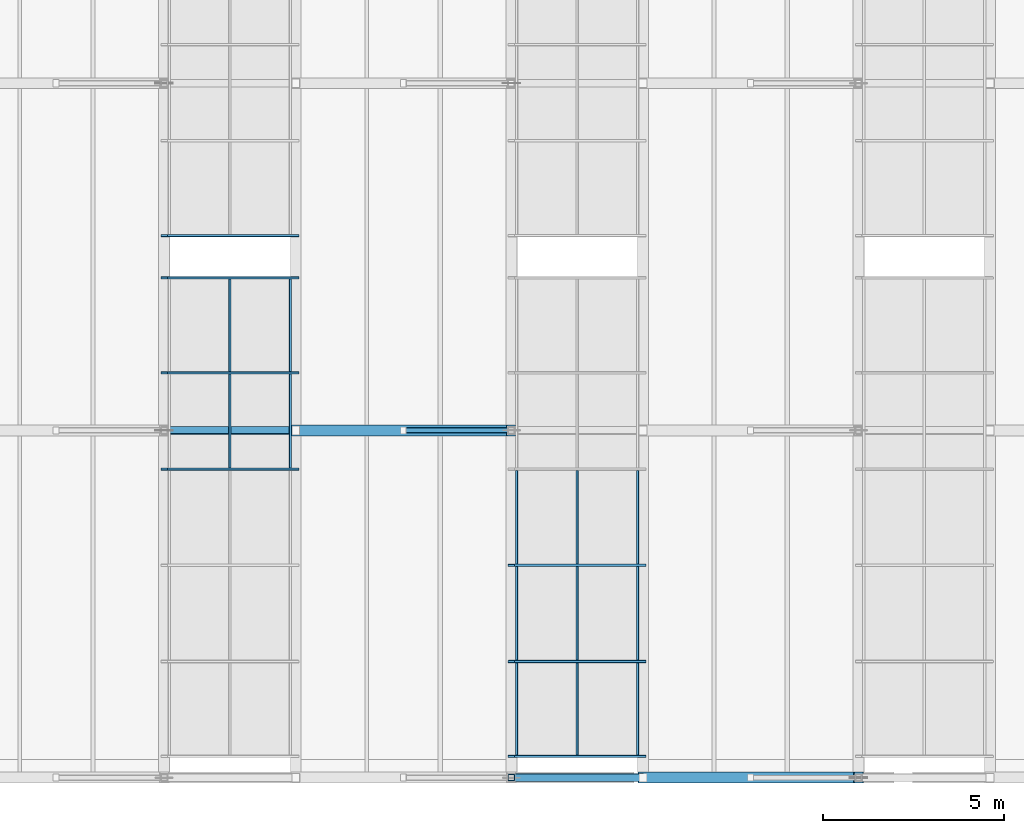
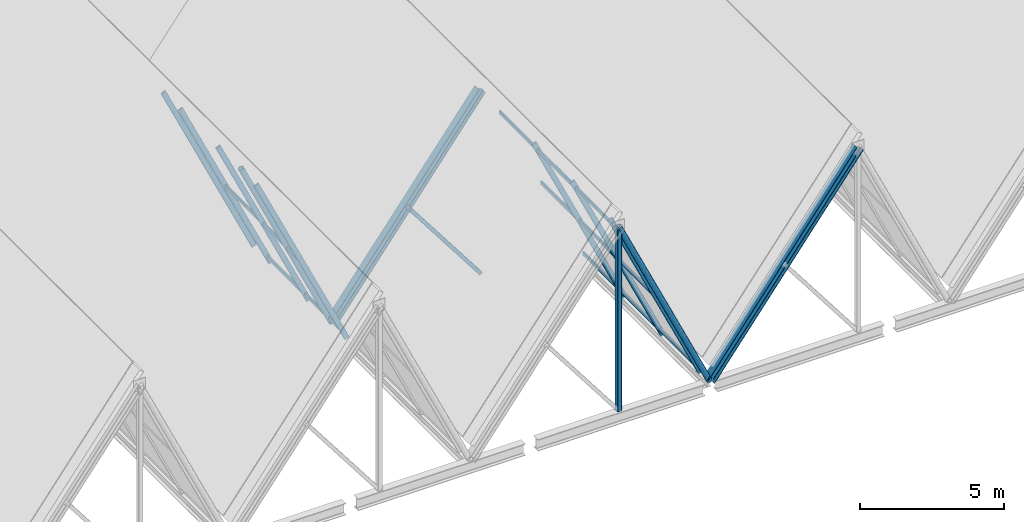
# One storey, part 10 of 99: 26 members, 3 elements without a shape of their own.
"""IFC4 building model written with IfcOpenShell, lengths in metres."""

from ifc_helpers import new_model, si_unit, direction, frame, origin, origin_2d, place, context, subcontext, project, spatial, hollow_rectangle, hollow_circle, i_section, extrude, material, material_profile, profile_set, type_object, element, aggregate, save


model = new_model("IFC4")

# Units and contexts
model_context = context("Model", 3, precision=1e-05, world=origin(), true_north=direction((0.0, 1.0)))
body_context = subcontext(model_context, "Body", "Model", "MODEL_VIEW")
ifc_project = project(units=[si_unit("LENGTHUNIT", "METRE"), si_unit("AREAUNIT", "SQUARE_METRE"), si_unit("VOLUMEUNIT", "CUBIC_METRE"), si_unit("PLANEANGLEUNIT", "RADIAN"), si_unit("MASSUNIT", "GRAM", prefix="KILO")], contexts=[model_context])

# Site, building, storey
site_placement = place(None, origin())
site = spatial("IfcSite", under=ifc_project, at=site_placement, CompositionType="ELEMENT")
building_placement = place(site_placement, origin())
building = spatial("IfcBuilding", under=site, at=building_placement, Name="Bramveld Media Centre", CompositionType="ELEMENT")
storey_placement = place(building_placement, frame((0.0, 0.0, 13.800048828125)))
storey = spatial("IfcBuildingStorey", under=building, at=storey_placement, Name="L03", CompositionType="ELEMENT", Elevation=13.800048828125)

# Curtain wall, members
ifc_material_1 = material(Name="Thermally broken anodized bronze aluminium unitized curtain wall with solar-control triple glazing", Category="aluminium")
curtain_wall_type = type_object("IfcCurtainWallType", Name="CW-SAW-13300x8606", PredefinedType="NOTDEFINED", material=ifc_material_1)
curtain_wall_1_placement = place(storey_placement, origin())
curtain_wall_1 = element("IfcCurtainWall", 1, at=curtain_wall_1_placement, inside=storey, type_object=curtain_wall_type, Name="V2 sawtooth north-light clerestory B2-S1", PredefinedType="NOTDEFINED")
ifc_material_2 = material(Name="Thermally broken anodized bronze aluminium EN AW-6063 T6 curtain-wall framing", Category="aluminium")
ifc_material_profile_1 = material_profile(ifc_material_2, hollow_rectangle(XDim=0.070068359375, YDim=0.199951171875, WallThickness=0.00439453125, InnerFilletRadius=0.00439453125, OuterFilletRadius=0.009033203125, at=origin_2d()), Name="AL-MULL 70x200")
ifc_profile_set_1 = profile_set([ifc_material_profile_1], Name="Thermally broken anodized bronze aluminium EN AW-6063 T6 curtain-wall framing")
member_type_1 = type_object("IfcMemberType", Name="CW-MULL-SLP", PredefinedType="MULLION", material=ifc_profile_set_1)
member_1_placement = place(storey_placement, frame((19.199951171875, 8.530029296875, -0.02001953125), z_axis=(-0.423956992265, 0.0, 0.90568232218), x_axis=(0.0, -1.0, 0.0)))
member_1 = element("IfcMember", 2, at=member_1_placement, type_object=member_type_1, Name="CW-SA-13386 sloped mullion 4", PredefinedType="MULLION", context=body_context, shape_type="SweptSolid", body=[
    extrude(hollow_rectangle(XDim=0.070068359375, YDim=0.199951171875, WallThickness=0.00439453125, InnerFilletRadius=0.00439453125, OuterFilletRadius=0.009033203125, at=origin_2d()), origin(), (0.0, 0.0, 1.0), 8.5791015625),
])
member_2_placement = place(storey_placement, frame((19.199951171875, 11.18994140625, -0.02001953125), z_axis=(-0.423956992265, 0.0, 0.90568232218), x_axis=(0.0, -1.0, 0.0)))
member_2 = element("IfcMember", 3, at=member_2_placement, type_object=member_type_1, Name="CW-SA-13386 sloped mullion 5", PredefinedType="MULLION", context=body_context, shape_type="SweptSolid", body=[
    extrude(hollow_rectangle(XDim=0.070068359375, YDim=0.199951171875, WallThickness=0.00439453125, InnerFilletRadius=0.00439453125, OuterFilletRadius=0.009033203125, at=origin_2d()), origin(), (0.0, 0.0, 1.0), 8.5791015625),
])
member_3_placement = place(storey_placement, frame((19.199951171875, 13.81494140625, -0.02001953125), z_axis=(-0.423956992265, 0.0, 0.90568232218), x_axis=(0.0, -1.0, 0.0)))
member_3 = element("IfcMember", 4, at=member_3_placement, type_object=member_type_1, Name="CW-SA-13386 sloped mullion 6", PredefinedType="MULLION", context=body_context, shape_type="SweptSolid", body=[
    extrude(hollow_rectangle(XDim=0.070068359375, YDim=0.199951171875, WallThickness=0.00439453125, InnerFilletRadius=0.00439453125, OuterFilletRadius=0.009033203125, at=origin_2d()), origin(), (0.0, 0.0, 1.0), 8.5791015625),
])

# Curtain wall, member
curtain_wall_2_placement = place(storey_placement, origin())
curtain_wall_2 = element("IfcCurtainWall", 5, at=curtain_wall_2_placement, inside=storey, type_object=curtain_wall_type, Name="V2 sawtooth north-light clerestory B2-S2", PredefinedType="NOTDEFINED")
member_4_placement = place(storey_placement, frame((19.199951171875, 14.985107421875, -0.02001953125), z_axis=(-0.423956992265, 0.0, 0.90568232218), x_axis=(0.0, -1.0, 0.0)))
member_4 = element("IfcMember", 6, at=member_4_placement, type_object=member_type_1, Name="CW-SA-13386 sloped mullion 1", PredefinedType="MULLION", context=body_context, shape_type="SweptSolid", body=[
    extrude(hollow_rectangle(XDim=0.070068359375, YDim=0.199951171875, WallThickness=0.00439453125, InnerFilletRadius=0.00439453125, OuterFilletRadius=0.009033203125, at=origin_2d()), origin(), (0.0, 0.0, 1.0), 8.5791015625),
])
aggregate(curtain_wall_2, [member_4])

# Curtain wall, members
curtain_wall_3_placement = place(storey_placement, origin())
curtain_wall_3 = element("IfcCurtainWall", 7, at=curtain_wall_3_placement, inside=storey, type_object=curtain_wall_type, Name="V2 sawtooth north-light clerestory B3-S1", PredefinedType="NOTDEFINED")
member_5_placement = place(storey_placement, frame((28.800048828125, 0.5849609375, -0.02001953125), z_axis=(-0.423956992265, 0.0, 0.90568232218), x_axis=(0.0, -1.0, 0.0)))
member_5 = element("IfcMember", 8, at=member_5_placement, type_object=member_type_1, Name="CW-SA-13386 sloped mullion 1", PredefinedType="MULLION", context=body_context, shape_type="SweptSolid", body=[
    extrude(hollow_rectangle(XDim=0.070068359375, YDim=0.199951171875, WallThickness=0.00439453125, InnerFilletRadius=0.00439453125, OuterFilletRadius=0.009033203125, at=origin_2d()), origin(), (0.0, 0.0, 1.0), 8.5791015625),
])
member_6_placement = place(storey_placement, frame((28.800048828125, 3.2099609375, -0.02001953125), z_axis=(-0.423956992265, 0.0, 0.90568232218), x_axis=(0.0, -1.0, 0.0)))
member_6 = element("IfcMember", 9, at=member_6_placement, type_object=member_type_1, Name="CW-SA-13386 sloped mullion 2", PredefinedType="MULLION", context=body_context, shape_type="SweptSolid", body=[
    extrude(hollow_rectangle(XDim=0.070068359375, YDim=0.199951171875, WallThickness=0.00439453125, InnerFilletRadius=0.00439453125, OuterFilletRadius=0.009033203125, at=origin_2d()), origin(), (0.0, 0.0, 1.0), 8.5791015625),
])
member_7_placement = place(storey_placement, frame((28.800048828125, 5.8701171875, -0.02001953125), z_axis=(-0.423956992265, 0.0, 0.90568232218), x_axis=(0.0, -1.0, 0.0)))
member_7 = element("IfcMember", 10, at=member_7_placement, type_object=member_type_1, Name="CW-SA-13386 sloped mullion 3", PredefinedType="MULLION", context=body_context, shape_type="SweptSolid", body=[
    extrude(hollow_rectangle(XDim=0.070068359375, YDim=0.199951171875, WallThickness=0.00439453125, InnerFilletRadius=0.00439453125, OuterFilletRadius=0.009033203125, at=origin_2d()), origin(), (0.0, 0.0, 1.0), 8.5791015625),
])

# Member
ifc_material_3 = material(Name="Thermally broken anodized bronze aluminium EN AW-6063 T6 curtain-wall framing", Category="aluminium")
ifc_material_profile_2 = material_profile(ifc_material_3, hollow_rectangle(XDim=0.070068359375, YDim=0.14990234375, WallThickness=0.00390625, InnerFilletRadius=0.00390625, OuterFilletRadius=0.008056640625, at=origin_2d()), Name="AL-TRAN 70x150")
ifc_profile_set_2 = profile_set([ifc_material_profile_2], Name="Thermally broken anodized bronze aluminium EN AW-6063 T6 curtain-wall framing")
member_type_2 = type_object("IfcMemberType", Name="CW-TRAN-SLP", PredefinedType="USERDEFINED", material=ifc_profile_set_2)
member_8_placement = place(storey_placement, frame((19.054443359375, 8.56494140625, 0.290771484375), z_axis=(0.0, 1.0, 0.0), x_axis=(-1.0, 0.0, 0.0)))
member_8 = element("IfcMember", 11, at=member_8_placement, type_object=member_type_2, Name="CW-SA-13386 transom 4.1", ObjectType="TRANSOM", PredefinedType="USERDEFINED", context=body_context, shape_type="SweptSolid", body=[
    extrude(hollow_rectangle(XDim=0.070068359375, YDim=0.14990234375, WallThickness=0.00390625, InnerFilletRadius=0.00390625, OuterFilletRadius=0.008056640625, at=origin_2d()), origin(), (0.0, 0.0, 1.0), 2.590087890625),
])

member_9_placement = place(storey_placement, frame((17.38134765625, 8.56494140625, 3.864990234375), z_axis=(0.0, 1.0, 0.0), x_axis=(-1.0, 0.0, 0.0)))
member_9 = element("IfcMember", 12, at=member_9_placement, type_object=member_type_2, Name="CW-SA-13386 transom 4.2", ObjectType="TRANSOM", PredefinedType="USERDEFINED", context=body_context, shape_type="SweptSolid", body=[
    extrude(hollow_rectangle(XDim=0.070068359375, YDim=0.14990234375, WallThickness=0.00390625, InnerFilletRadius=0.00390625, OuterFilletRadius=0.008056640625, at=origin_2d()), origin(), (0.0, 0.0, 1.0), 2.590087890625),
])

member_10_placement = place(storey_placement, frame((19.054443359375, 11.22509765625, 0.290771484375), z_axis=(0.0, 1.0, 0.0), x_axis=(-1.0, 0.0, 0.0)))
member_10 = element("IfcMember", 13, at=member_10_placement, type_object=member_type_2, Name="CW-SA-13386 transom 5.1", ObjectType="TRANSOM", PredefinedType="USERDEFINED", context=body_context, shape_type="SweptSolid", body=[
    extrude(hollow_rectangle(XDim=0.070068359375, YDim=0.14990234375, WallThickness=0.00390625, InnerFilletRadius=0.00390625, OuterFilletRadius=0.008056640625, at=origin_2d()), origin(), (0.0, 0.0, 1.0), 2.554931640625),
])

member_11_placement = place(storey_placement, frame((17.38134765625, 11.22509765625, 3.864990234375), z_axis=(0.0, 1.0, 0.0), x_axis=(-1.0, 0.0, 0.0)))
member_11 = element("IfcMember", 14, at=member_11_placement, type_object=member_type_2, Name="CW-SA-13386 transom 5.2", ObjectType="TRANSOM", PredefinedType="USERDEFINED", context=body_context, shape_type="SweptSolid", body=[
    extrude(hollow_rectangle(XDim=0.070068359375, YDim=0.14990234375, WallThickness=0.00390625, InnerFilletRadius=0.00390625, OuterFilletRadius=0.008056640625, at=origin_2d()), origin(), (0.0, 0.0, 1.0), 2.554931640625),
])

aggregate(curtain_wall_1, [member_1, member_2, member_3, member_8, member_9, member_10, member_11])

member_12_placement = place(storey_placement, frame((28.654541015625, 0.6201171875, 0.290771484375), z_axis=(0.0, 1.0, 0.0), x_axis=(-1.0, 0.0, 0.0)))
member_12 = element("IfcMember", 15, at=member_12_placement, type_object=member_type_2, Name="CW-SA-13386 transom 1.1", ObjectType="TRANSOM", PredefinedType="USERDEFINED", context=body_context, shape_type="SweptSolid", body=[
    extrude(hollow_rectangle(XDim=0.070068359375, YDim=0.14990234375, WallThickness=0.00390625, InnerFilletRadius=0.00390625, OuterFilletRadius=0.008056640625, at=origin_2d()), origin(), (0.0, 0.0, 1.0), 2.554931640625),
])

member_13_placement = place(storey_placement, frame((26.9814453125, 0.6201171875, 3.864990234375), z_axis=(0.0, 1.0, 0.0), x_axis=(-1.0, 0.0, 0.0)))
member_13 = element("IfcMember", 16, at=member_13_placement, type_object=member_type_2, Name="CW-SA-13386 transom 1.2", ObjectType="TRANSOM", PredefinedType="USERDEFINED", context=body_context, shape_type="SweptSolid", body=[
    extrude(hollow_rectangle(XDim=0.070068359375, YDim=0.14990234375, WallThickness=0.00390625, InnerFilletRadius=0.00390625, OuterFilletRadius=0.008056640625, at=origin_2d()), origin(), (0.0, 0.0, 1.0), 2.554931640625),
])

member_14_placement = place(storey_placement, frame((25.308349609375, 0.6201171875, 7.439208984375), z_axis=(0.0, 1.0, 0.0), x_axis=(-1.0, 0.0, 0.0)))
member_14 = element("IfcMember", 17, at=member_14_placement, type_object=member_type_2, Name="CW-SA-13386 transom 1.3", ObjectType="TRANSOM", PredefinedType="USERDEFINED", context=body_context, shape_type="SweptSolid", body=[
    extrude(hollow_rectangle(XDim=0.070068359375, YDim=0.14990234375, WallThickness=0.00390625, InnerFilletRadius=0.00390625, OuterFilletRadius=0.008056640625, at=origin_2d()), origin(), (0.0, 0.0, 1.0), 2.554931640625),
])

member_15_placement = place(storey_placement, frame((28.654541015625, 3.2451171875, 0.290771484375), z_axis=(0.0, 1.0, 0.0), x_axis=(-1.0, 0.0, 0.0)))
member_15 = element("IfcMember", 18, at=member_15_placement, type_object=member_type_2, Name="CW-SA-13386 transom 2.1", ObjectType="TRANSOM", PredefinedType="USERDEFINED", context=body_context, shape_type="SweptSolid", body=[
    extrude(hollow_rectangle(XDim=0.070068359375, YDim=0.14990234375, WallThickness=0.00390625, InnerFilletRadius=0.00390625, OuterFilletRadius=0.008056640625, at=origin_2d()), origin(), (0.0, 0.0, 1.0), 2.58984375),
])

member_16_placement = place(storey_placement, frame((26.9814453125, 3.2451171875, 3.864990234375), z_axis=(0.0, 1.0, 0.0), x_axis=(-1.0, 0.0, 0.0)))
member_16 = element("IfcMember", 19, at=member_16_placement, type_object=member_type_2, Name="CW-SA-13386 transom 2.2", ObjectType="TRANSOM", PredefinedType="USERDEFINED", context=body_context, shape_type="SweptSolid", body=[
    extrude(hollow_rectangle(XDim=0.070068359375, YDim=0.14990234375, WallThickness=0.00390625, InnerFilletRadius=0.00390625, OuterFilletRadius=0.008056640625, at=origin_2d()), origin(), (0.0, 0.0, 1.0), 2.58984375),
])

member_17_placement = place(storey_placement, frame((25.308349609375, 3.2451171875, 7.439208984375), z_axis=(0.0, 1.0, 0.0), x_axis=(-1.0, 0.0, 0.0)))
member_17 = element("IfcMember", 20, at=member_17_placement, type_object=member_type_2, Name="CW-SA-13386 transom 2.3", ObjectType="TRANSOM", PredefinedType="USERDEFINED", context=body_context, shape_type="SweptSolid", body=[
    extrude(hollow_rectangle(XDim=0.070068359375, YDim=0.14990234375, WallThickness=0.00390625, InnerFilletRadius=0.00390625, OuterFilletRadius=0.008056640625, at=origin_2d()), origin(), (0.0, 0.0, 1.0), 2.58984375),
])

member_18_placement = place(storey_placement, frame((28.654541015625, 5.905029296875, 0.290771484375), z_axis=(0.0, 1.0, 0.0), x_axis=(-1.0, 0.0, 0.0)))
member_18 = element("IfcMember", 21, at=member_18_placement, type_object=member_type_2, Name="CW-SA-13386 transom 3.1", ObjectType="TRANSOM", PredefinedType="USERDEFINED", context=body_context, shape_type="SweptSolid", body=[
    extrude(hollow_rectangle(XDim=0.070068359375, YDim=0.14990234375, WallThickness=0.00390625, InnerFilletRadius=0.00390625, OuterFilletRadius=0.008056640625, at=origin_2d()), origin(), (0.0, 0.0, 1.0), 2.590087890625),
])

member_19_placement = place(storey_placement, frame((26.9814453125, 5.905029296875, 3.864990234375), z_axis=(0.0, 1.0, 0.0), x_axis=(-1.0, 0.0, 0.0)))
member_19 = element("IfcMember", 22, at=member_19_placement, type_object=member_type_2, Name="CW-SA-13386 transom 3.2", ObjectType="TRANSOM", PredefinedType="USERDEFINED", context=body_context, shape_type="SweptSolid", body=[
    extrude(hollow_rectangle(XDim=0.070068359375, YDim=0.14990234375, WallThickness=0.00390625, InnerFilletRadius=0.00390625, OuterFilletRadius=0.008056640625, at=origin_2d()), origin(), (0.0, 0.0, 1.0), 2.590087890625),
])

member_20_placement = place(storey_placement, frame((25.308349609375, 5.905029296875, 7.439208984375), z_axis=(0.0, 1.0, 0.0), x_axis=(-1.0, 0.0, 0.0)))
member_20 = element("IfcMember", 23, at=member_20_placement, type_object=member_type_2, Name="CW-SA-13386 transom 3.3", ObjectType="TRANSOM", PredefinedType="USERDEFINED", context=body_context, shape_type="SweptSolid", body=[
    extrude(hollow_rectangle(XDim=0.070068359375, YDim=0.14990234375, WallThickness=0.00390625, InnerFilletRadius=0.00390625, OuterFilletRadius=0.008056640625, at=origin_2d()), origin(), (0.0, 0.0, 1.0), 2.590087890625),
])

aggregate(curtain_wall_3, [member_5, member_6, member_7, member_12, member_13, member_14, member_15, member_16, member_17, member_18, member_19, member_20])

# Members
ifc_material_4 = material(Name="Steel S355J2H", Category="steel")
ifc_material_profile_3 = material_profile(ifc_material_4, hollow_circle(Radius=0.109619140625, WallThickness=0.012451171875, at=origin_2d()), Name="CHS 219.1x12.5")
ifc_profile_set_3 = profile_set([ifc_material_profile_3], Name="Steel S355J2H")
member_type_3 = type_object("IfcMemberType", Name="MEM-BRACE-CHS219", PredefinedType="BRACE", material=ifc_profile_set_3)
for number, where, z_axis, x_axis, name in (
    (24, (19.199951171875, 9.60009765625, 0.0), (-0.422616785161, 0.0, 0.906308475575), (0.0, -1.0, 0.0), "TRUSS-V2-B02-F2 north-light strut"),
    (25, (28.800048828125, 0.0, 0.0), (-0.422616785161, 0.0, 0.906308475575), (0.0, -1.0, 0.0), "TRUSS-V2-B03-F1 north-light strut"),
):
    element("IfcMember", number, at=place(storey_placement, frame(where, z_axis=z_axis, x_axis=x_axis)), inside=storey, type_object=member_type_3, Name=name, PredefinedType="BRACE", context=body_context, shape_type="SweptSolid", body=[
        extrude(hollow_circle(Radius=0.109619140625, WallThickness=0.012451171875, at=origin_2d()), origin(), (0.0, 0.0, 1.0), 8.6064453125),
    ])
ifc_material_5 = material(Name="Steel S355J2H", Category="steel")
ifc_material_profile_4 = material_profile(ifc_material_5, hollow_rectangle(XDim=0.14990234375, YDim=0.14990234375, WallThickness=0.010009765625, InnerFilletRadius=0.010009765625, OuterFilletRadius=0.02001953125, at=origin_2d()), Name="SHS 150x150x10")
ifc_profile_set_4 = profile_set([ifc_material_profile_4], Name="Steel S355J2H")
member_type_4 = type_object("IfcMemberType", Name="MEM-BRACE-SHS150", PredefinedType="BRACE", material=ifc_profile_set_4)
member_21_placement = place(storey_placement, frame((25.162841796875, 9.60009765625, 0.0), z_axis=(-0.607343034298, 0.0, 0.794439701104), x_axis=(0.0, -1.0, 0.0)))
element("IfcMember", 26, at=member_21_placement, inside=storey, type_object=member_type_4, Name="TRUSS-V2-B03-F2 web diagonal", PredefinedType="BRACE", context=body_context, shape_type="SweptSolid", body=[
    extrude(hollow_rectangle(XDim=0.14990234375, YDim=0.14990234375, WallThickness=0.010009765625, InnerFilletRadius=0.010009765625, OuterFilletRadius=0.02001953125, at=origin_2d()), origin(), (0.0, 0.0, 1.0), 4.908935546875),
])
ifc_material_6 = material(Name="Steel S355J2", Category="steel")
ifc_material_profile_5 = material_profile(ifc_material_6, i_section(OverallWidth=0.300048828125, OverallDepth=0.340087890625, WebThickness=0.011962890625, FlangeThickness=0.021484375, FilletRadius=0.027099609375, at=origin_2d()), Name="HEB 340")
ifc_profile_set_5 = profile_set([ifc_material_profile_5], Name="Steel S355J2")
member_type_5 = type_object("IfcMemberType", Name="MEM-CHORD-HEB340", PredefinedType="CHORD", material=ifc_profile_set_5)
for number, where, z_axis, x_axis, name in (
    (27, (19.199951171875, 9.60009765625, 0.0), (0.607331036372, 0.0, 0.794448873282), (0.0, 1.0, 0.0), "TRUSS-V2-B03-F2 top rafter chord"),
    (28, (28.800048828125, 0.0, 0.0), (0.607315341765, 0.0, 0.794460871067), (0.0, 1.0, 0.0), "TRUSS-V2-B04-F1 top rafter chord"),
):
    element("IfcMember", number, at=place(storey_placement, frame(where, z_axis=z_axis, x_axis=x_axis)), inside=storey, type_object=member_type_5, Name=name, PredefinedType="CHORD", context=body_context, shape_type="SweptSolid", body=[
        extrude(i_section(OverallWidth=0.300048828125, OverallDepth=0.340087890625, WebThickness=0.011962890625, FlangeThickness=0.021484375, FilletRadius=0.027099609375, at=origin_2d()), origin(), (0.0, 0.0, 1.0), 9.818115234375),
    ])
ifc_material_7 = material(Name="Steel S355J2H", Category="steel")
ifc_material_profile_6 = material_profile(ifc_material_7, hollow_rectangle(XDim=0.179931640625, YDim=0.179931640625, WallThickness=0.010009765625, InnerFilletRadius=0.010009765625, OuterFilletRadius=0.02001953125, at=origin_2d()), Name="SHS 180x180x10")
ifc_profile_set_6 = profile_set([ifc_material_profile_6], Name="Steel S355J2H")
member_type_6 = type_object("IfcMemberType", Name="MEM-POST-SHS180", PredefinedType="POST", material=ifc_profile_set_6)
member_22_placement = place(storey_placement, frame((25.162841796875, 0.0, 0.0), z_axis=(0.0, 0.0, 1.0), x_axis=(1.0, 0.0, 0.0)))
element("IfcMember", 29, at=member_22_placement, inside=storey, type_object=member_type_6, Name="TRUSS-V2-B03-F1 kingpost", PredefinedType="POST", context=body_context, shape_type="SweptSolid", body=[
    extrude(hollow_rectangle(XDim=0.179931640625, YDim=0.179931640625, WallThickness=0.010009765625, InnerFilletRadius=0.010009765625, OuterFilletRadius=0.02001953125, at=origin_2d()), origin(), (0.0, 0.0, 1.0), 7.800048828125),
])

save(model, "model.ifc")
